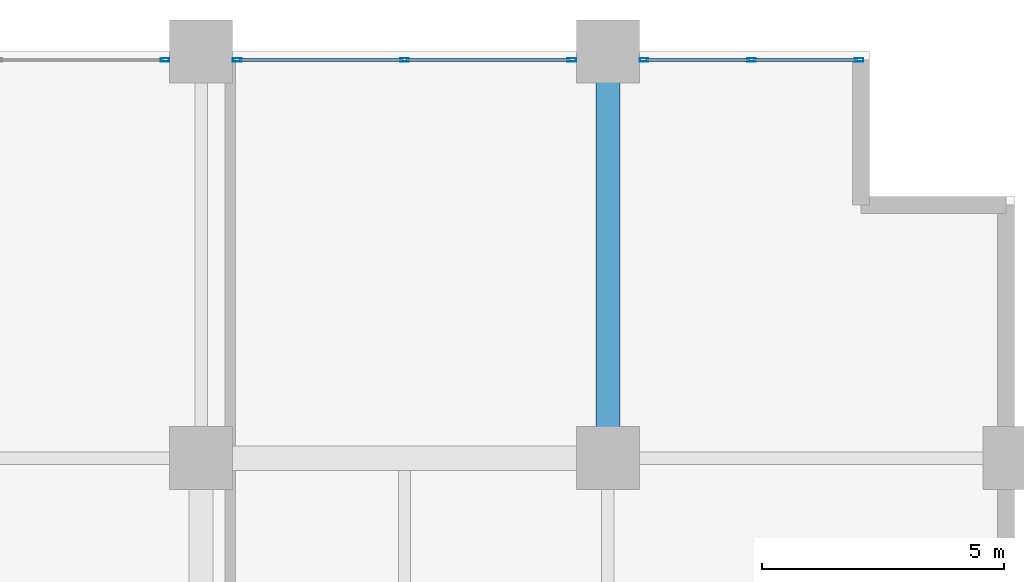
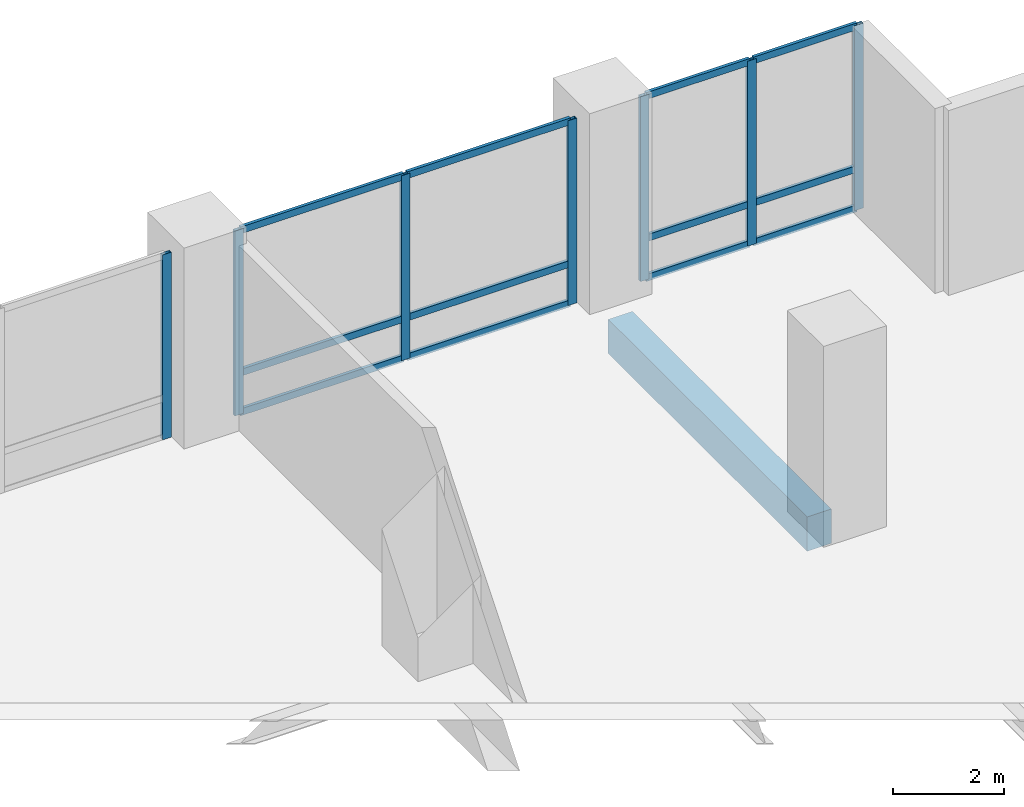
# One storey, part 10 of 24: 19 members, 1 beam, 3 elements without a shape of their own.
"""IFC4 building model written with IfcOpenShell, lengths in metres."""

from ifc_helpers import new_model, si_unit, direction, frame, origin, origin_2d, place, context, subcontext, project, spatial, rectangle, hollow_rectangle, extrude, material, layer, layer_set, material_profile, profile_set, type_object, element, aggregate, save


model = new_model("IFC4")

# Units and contexts
model_context = context("Model", 3, precision=1e-05, world=origin(), true_north=direction((0.0, 1.0)))
body_context = subcontext(model_context, "Body", "Model", "MODEL_VIEW")
ifc_project = project(units=[si_unit("LENGTHUNIT", "METRE"), si_unit("AREAUNIT", "SQUARE_METRE"), si_unit("VOLUMEUNIT", "CUBIC_METRE"), si_unit("PLANEANGLEUNIT", "RADIAN"), si_unit("MASSUNIT", "GRAM", prefix="KILO")], contexts=[model_context])

# Site, building, storey
site_placement = place(None, origin())
site = spatial("IfcSite", under=ifc_project, at=site_placement, CompositionType="ELEMENT")
building_placement = place(site_placement, origin())
building = spatial("IfcBuilding", under=site, at=building_placement, Name="Koriwani Terraces Tower", CompositionType="ELEMENT")
storey_placement = place(building_placement, frame((0.0, 0.0, 89.60009765625)))
storey = spatial("IfcBuildingStorey", under=building, at=storey_placement, Name="L21", CompositionType="ELEMENT", Elevation=89.60009765625)

# Beam
ifc_material_1 = material(Name="Concrete C50/60", Category="concrete")
ifc_material_profile_1 = material_profile(ifc_material_1, rectangle(XDim=0.5, YDim=0.75, at=origin_2d()), Name="Concrete C50/60", Category="LoadBearing")
ifc_profile_set_1 = profile_set([ifc_material_profile_1], Name="Concrete C50/60")
beam_type = type_object("IfcBeamType", Name="BEAM_RC_GRID_500X750", PredefinedType="BEAM", material=ifc_profile_set_1)
beam_placement = place(storey_placement, frame((25.199951171875, 84.6298828125, -0.625), z_axis=(0.0, 1.0, 0.0), x_axis=(-1.0, 0.0, 0.0)))
element("IfcBeam", 1, at=beam_placement, inside=storey, type_object=beam_type, Name="L21 Grid Beam 4 (84.0-92.4m)", PredefinedType="BEAM", context=body_context, shape_type="SweptSolid", body=[
    extrude(rectangle(XDim=0.5, YDim=0.75, at=origin_2d()), origin(), (0.0, 0.0, 1.0), 7.14013671875),
])

# Curtain wall, member
ifc_material_2 = material(Name="Anodised Bronze Aluminium", Category="aluminium")
ifc_layer = layer(ifc_material_2, 0.179931640625, Name="Anodised Bronze Aluminium")
ifc_layer_set = layer_set([ifc_layer], Name="Anodised Bronze Aluminium")
curtain_wall_type = type_object("IfcCurtainWallType", Name="CW_HOTEL_ZONE2", PredefinedType="NOTDEFINED", material=ifc_layer_set)
curtain_wall_1_placement = place(storey_placement, origin())
curtain_wall_1 = element("IfcCurtainWall", 2, at=curtain_wall_1_placement, inside=storey, type_object=curtain_wall_type, Name="L21 Unitised Curtain Wall (N_TIP) Bay 2", PredefinedType="NOTDEFINED")
ifc_material_profile_2 = material_profile(ifc_material_2, hollow_rectangle(XDim=0.074951171875, YDim=0.179931640625, WallThickness=0.006103515625, at=origin_2d()), Name="Anodised Bronze Aluminium", Category="LoadBearing")
ifc_profile_set_2 = profile_set([ifc_material_profile_2], Name="Anodised Bronze Aluminium")
member_type_1 = type_object("IfcMemberType", Name="CW_MULLION_180X75", PredefinedType="MULLION", material=ifc_profile_set_2)
member_1_placement = place(storey_placement, frame((16.052490234375, 92.22509765625, 0.0), z_axis=(0.0, 0.0, 1.0), x_axis=(0.0, 1.0, 0.0)))
member_1 = element("IfcMember", 3, at=member_1_placement, type_object=member_type_1, Name="CW-Z2 mullion 3", PredefinedType="MULLION", context=body_context, shape_type="SweptSolid", body=[
    extrude(hollow_rectangle(XDim=0.074951171875, YDim=0.179931640625, WallThickness=0.006103515625, at=origin_2d()), origin(), (0.0, 0.0, 1.0), 4.0498046875),
])
aggregate(curtain_wall_1, [member_1])

# Curtain wall, members
curtain_wall_2_placement = place(storey_placement, origin())
curtain_wall_2 = element("IfcCurtainWall", 4, at=curtain_wall_2_placement, inside=storey, type_object=curtain_wall_type, Name="L21 Unitised Curtain Wall (N_TIP) Bay 3", PredefinedType="NOTDEFINED")
member_2_placement = place(storey_placement, frame((17.547607421875, 92.22509765625, 0.0), z_axis=(0.0, 0.0, 1.0), x_axis=(0.0, 1.0, 0.0)))
member_2 = element("IfcMember", 5, at=member_2_placement, type_object=member_type_1, Name="CW-Z2 mullion 1", PredefinedType="MULLION", context=body_context, shape_type="SweptSolid", body=[
    extrude(hollow_rectangle(XDim=0.074951171875, YDim=0.179931640625, WallThickness=0.006103515625, at=origin_2d()), origin(), (0.0, 0.0, 1.0), 4.0498046875),
])
member_3_placement = place(storey_placement, frame((21.0, 92.22509765625, 0.0), z_axis=(0.0, 0.0, 1.0), x_axis=(0.0, 1.0, 0.0)))
member_3 = element("IfcMember", 6, at=member_3_placement, type_object=member_type_1, Name="CW-Z2 mullion 2", PredefinedType="MULLION", context=body_context, shape_type="SweptSolid", body=[
    extrude(hollow_rectangle(XDim=0.074951171875, YDim=0.179931640625, WallThickness=0.006103515625, at=origin_2d()), origin(), (0.0, 0.0, 1.0), 4.0498046875),
])
member_4_placement = place(storey_placement, frame((24.452392578125, 92.22509765625, 0.0), z_axis=(0.0, 0.0, 1.0), x_axis=(0.0, 1.0, 0.0)))
member_4 = element("IfcMember", 7, at=member_4_placement, type_object=member_type_1, Name="CW-Z2 mullion 3", PredefinedType="MULLION", context=body_context, shape_type="SweptSolid", body=[
    extrude(hollow_rectangle(XDim=0.074951171875, YDim=0.179931640625, WallThickness=0.006103515625, at=origin_2d()), origin(), (0.0, 0.0, 1.0), 4.0498046875),
])

curtain_wall_3_placement = place(storey_placement, origin())
curtain_wall_3 = element("IfcCurtainWall", 8, at=curtain_wall_3_placement, inside=storey, type_object=curtain_wall_type, Name="L21 Unitised Curtain Wall (N_TIP) Bay 4", PredefinedType="NOTDEFINED")
member_5_placement = place(storey_placement, frame((25.947509765625, 92.22509765625, 0.0), z_axis=(0.0, 0.0, 1.0), x_axis=(0.0, 1.0, 0.0)))
member_5 = element("IfcMember", 9, at=member_5_placement, type_object=member_type_1, Name="CW-Z2 mullion 1", PredefinedType="MULLION", context=body_context, shape_type="SweptSolid", body=[
    extrude(hollow_rectangle(XDim=0.074951171875, YDim=0.179931640625, WallThickness=0.006103515625, at=origin_2d()), origin(), (0.0, 0.0, 1.0), 4.0498046875),
])
member_6_placement = place(storey_placement, frame((28.16748046875, 92.22509765625, 0.0), z_axis=(0.0, 0.0, 1.0), x_axis=(0.0, 1.0, 0.0)))
member_6 = element("IfcMember", 10, at=member_6_placement, type_object=member_type_1, Name="CW-Z2 mullion 2", PredefinedType="MULLION", context=body_context, shape_type="SweptSolid", body=[
    extrude(hollow_rectangle(XDim=0.074951171875, YDim=0.179931640625, WallThickness=0.006103515625, at=origin_2d()), origin(), (0.0, 0.0, 1.0), 4.0498046875),
])
member_7_placement = place(storey_placement, frame((30.387451171875, 92.22509765625, 0.0), z_axis=(0.0, 0.0, 1.0), x_axis=(0.0, 1.0, 0.0)))
member_7 = element("IfcMember", 11, at=member_7_placement, type_object=member_type_1, Name="CW-Z2 mullion 3", PredefinedType="MULLION", context=body_context, shape_type="SweptSolid", body=[
    extrude(hollow_rectangle(XDim=0.074951171875, YDim=0.179931640625, WallThickness=0.006103515625, at=origin_2d()), origin(), (0.0, 0.0, 1.0), 4.0498046875),
])

# Member
ifc_material_profile_3 = material_profile(ifc_material_2, hollow_rectangle(XDim=0.06494140625, YDim=0.14990234375, WallThickness=0.0048828125, at=origin_2d()), Name="Anodised Bronze Aluminium", Category="LoadBearing")
ifc_profile_set_3 = profile_set([ifc_material_profile_3], Name="Anodised Bronze Aluminium")
member_type_2 = type_object("IfcMemberType", Name="CW_TRANSOM_150X65", PredefinedType="USERDEFINED", material=ifc_profile_set_3)
member_8_placement = place(storey_placement, frame((17.5849609375, 92.22509765625, 0.032470703125), z_axis=(1.0, 0.0, 0.0), x_axis=(0.0, 1.0, 0.0)))
member_8 = element("IfcMember", 12, at=member_8_placement, type_object=member_type_2, Name="CW-Z2 transom 1.1", ObjectType="TRANSOM", PredefinedType="USERDEFINED", context=body_context, shape_type="SweptSolid", body=[
    extrude(hollow_rectangle(XDim=0.06494140625, YDim=0.14990234375, WallThickness=0.0048828125, at=origin_2d()), origin(), (0.0, 0.0, 1.0), 3.37744140625),
])

member_9_placement = place(storey_placement, frame((17.5849609375, 92.22509765625, 0.89990234375), z_axis=(1.0, 0.0, 0.0), x_axis=(0.0, 1.0, 0.0)))
member_9 = element("IfcMember", 13, at=member_9_placement, type_object=member_type_2, Name="CW-Z2 transom 1.2", ObjectType="TRANSOM", PredefinedType="USERDEFINED", context=body_context, shape_type="SweptSolid", body=[
    extrude(hollow_rectangle(XDim=0.06494140625, YDim=0.14990234375, WallThickness=0.0048828125, at=origin_2d()), origin(), (0.0, 0.0, 1.0), 3.37744140625),
])

member_10_placement = place(storey_placement, frame((17.5849609375, 92.22509765625, 4.017333984375), z_axis=(1.0, 0.0, 0.0), x_axis=(0.0, 1.0, 0.0)))
member_10 = element("IfcMember", 14, at=member_10_placement, type_object=member_type_2, Name="CW-Z2 transom 1.3", ObjectType="TRANSOM", PredefinedType="USERDEFINED", context=body_context, shape_type="SweptSolid", body=[
    extrude(hollow_rectangle(XDim=0.06494140625, YDim=0.14990234375, WallThickness=0.0048828125, at=origin_2d()), origin(), (0.0, 0.0, 1.0), 3.37744140625),
])

member_11_placement = place(storey_placement, frame((21.03759765625, 92.22509765625, 0.032470703125), z_axis=(1.0, 0.0, 0.0), x_axis=(0.0, 1.0, 0.0)))
member_11 = element("IfcMember", 15, at=member_11_placement, type_object=member_type_2, Name="CW-Z2 transom 2.1", ObjectType="TRANSOM", PredefinedType="USERDEFINED", context=body_context, shape_type="SweptSolid", body=[
    extrude(hollow_rectangle(XDim=0.06494140625, YDim=0.14990234375, WallThickness=0.0048828125, at=origin_2d()), origin(), (0.0, 0.0, 1.0), 3.37744140625),
])

member_12_placement = place(storey_placement, frame((21.03759765625, 92.22509765625, 0.89990234375), z_axis=(1.0, 0.0, 0.0), x_axis=(0.0, 1.0, 0.0)))
member_12 = element("IfcMember", 16, at=member_12_placement, type_object=member_type_2, Name="CW-Z2 transom 2.2", ObjectType="TRANSOM", PredefinedType="USERDEFINED", context=body_context, shape_type="SweptSolid", body=[
    extrude(hollow_rectangle(XDim=0.06494140625, YDim=0.14990234375, WallThickness=0.0048828125, at=origin_2d()), origin(), (0.0, 0.0, 1.0), 3.37744140625),
])

member_13_placement = place(storey_placement, frame((21.03759765625, 92.22509765625, 4.017333984375), z_axis=(1.0, 0.0, 0.0), x_axis=(0.0, 1.0, 0.0)))
member_13 = element("IfcMember", 17, at=member_13_placement, type_object=member_type_2, Name="CW-Z2 transom 2.3", ObjectType="TRANSOM", PredefinedType="USERDEFINED", context=body_context, shape_type="SweptSolid", body=[
    extrude(hollow_rectangle(XDim=0.06494140625, YDim=0.14990234375, WallThickness=0.0048828125, at=origin_2d()), origin(), (0.0, 0.0, 1.0), 3.37744140625),
])

aggregate(curtain_wall_2, [member_2, member_3, member_4, member_8, member_9, member_10, member_11, member_12, member_13])

member_14_placement = place(storey_placement, frame((25.985107421875, 92.22509765625, 0.032470703125), z_axis=(1.0, 0.0, 0.0), x_axis=(0.0, 1.0, 0.0)))
member_14 = element("IfcMember", 18, at=member_14_placement, type_object=member_type_2, Name="CW-Z2 transom 1.1", ObjectType="TRANSOM", PredefinedType="USERDEFINED", context=body_context, shape_type="SweptSolid", body=[
    extrude(hollow_rectangle(XDim=0.06494140625, YDim=0.14990234375, WallThickness=0.0048828125, at=origin_2d()), origin(), (0.0, 0.0, 1.0), 2.144775390625),
])

member_15_placement = place(storey_placement, frame((25.985107421875, 92.22509765625, 0.89990234375), z_axis=(1.0, 0.0, 0.0), x_axis=(0.0, 1.0, 0.0)))
member_15 = element("IfcMember", 19, at=member_15_placement, type_object=member_type_2, Name="CW-Z2 transom 1.2", ObjectType="TRANSOM", PredefinedType="USERDEFINED", context=body_context, shape_type="SweptSolid", body=[
    extrude(hollow_rectangle(XDim=0.06494140625, YDim=0.14990234375, WallThickness=0.0048828125, at=origin_2d()), origin(), (0.0, 0.0, 1.0), 2.144775390625),
])

member_16_placement = place(storey_placement, frame((25.985107421875, 92.22509765625, 4.017333984375), z_axis=(1.0, 0.0, 0.0), x_axis=(0.0, 1.0, 0.0)))
member_16 = element("IfcMember", 20, at=member_16_placement, type_object=member_type_2, Name="CW-Z2 transom 1.3", ObjectType="TRANSOM", PredefinedType="USERDEFINED", context=body_context, shape_type="SweptSolid", body=[
    extrude(hollow_rectangle(XDim=0.06494140625, YDim=0.14990234375, WallThickness=0.0048828125, at=origin_2d()), origin(), (0.0, 0.0, 1.0), 2.144775390625),
])

member_17_placement = place(storey_placement, frame((28.205078125, 92.22509765625, 0.032470703125), z_axis=(1.0, 0.0, 0.0), x_axis=(0.0, 1.0, 0.0)))
member_17 = element("IfcMember", 21, at=member_17_placement, type_object=member_type_2, Name="CW-Z2 transom 2.1", ObjectType="TRANSOM", PredefinedType="USERDEFINED", context=body_context, shape_type="SweptSolid", body=[
    extrude(hollow_rectangle(XDim=0.06494140625, YDim=0.14990234375, WallThickness=0.0048828125, at=origin_2d()), origin(), (0.0, 0.0, 1.0), 2.14501953125),
])

member_18_placement = place(storey_placement, frame((28.205078125, 92.22509765625, 0.89990234375), z_axis=(1.0, 0.0, 0.0), x_axis=(0.0, 1.0, 0.0)))
member_18 = element("IfcMember", 22, at=member_18_placement, type_object=member_type_2, Name="CW-Z2 transom 2.2", ObjectType="TRANSOM", PredefinedType="USERDEFINED", context=body_context, shape_type="SweptSolid", body=[
    extrude(hollow_rectangle(XDim=0.06494140625, YDim=0.14990234375, WallThickness=0.0048828125, at=origin_2d()), origin(), (0.0, 0.0, 1.0), 2.14501953125),
])

member_19_placement = place(storey_placement, frame((28.205078125, 92.22509765625, 4.017333984375), z_axis=(1.0, 0.0, 0.0), x_axis=(0.0, 1.0, 0.0)))
member_19 = element("IfcMember", 23, at=member_19_placement, type_object=member_type_2, Name="CW-Z2 transom 2.3", ObjectType="TRANSOM", PredefinedType="USERDEFINED", context=body_context, shape_type="SweptSolid", body=[
    extrude(hollow_rectangle(XDim=0.06494140625, YDim=0.14990234375, WallThickness=0.0048828125, at=origin_2d()), origin(), (0.0, 0.0, 1.0), 2.14501953125),
])

aggregate(curtain_wall_3, [member_5, member_6, member_7, member_14, member_15, member_16, member_17, member_18, member_19])

save(model, "model.ifc")
